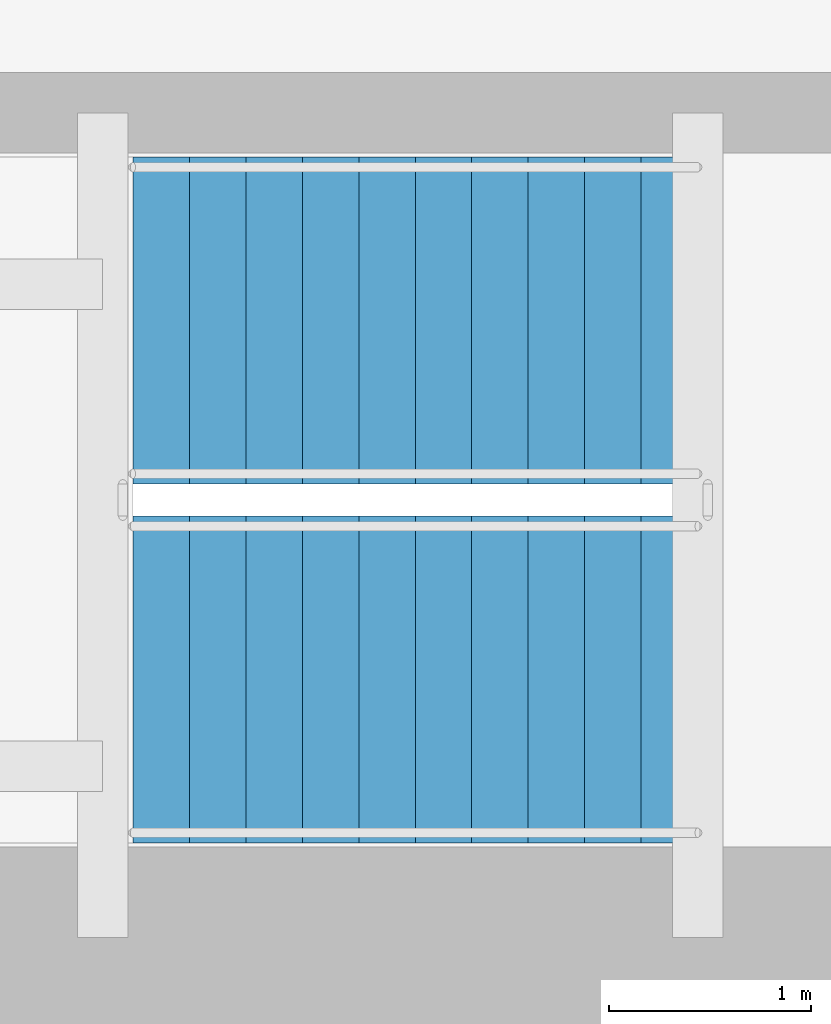
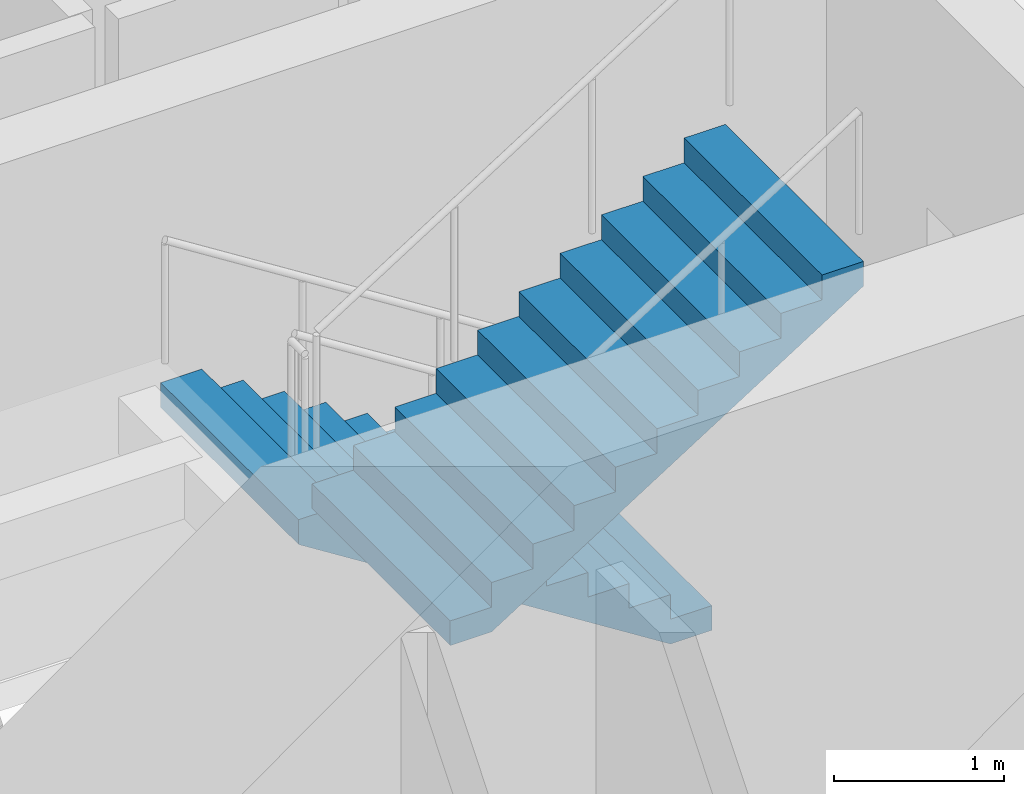
# One storey, part 9 of 14: 2 stair flights, 1 element without a shape of its own.
"""IFC4 building model written with IfcOpenShell, lengths in metres."""

from ifc_helpers import new_model, si_unit, direction, frame, origin, place, context, subcontext, project, spatial, polyline, outline, extrude, material, layer, layer_set, type_object, element, aggregate, save


model = new_model("IFC4")

# Units and contexts
model_context = context("Model", 3, precision=1e-05, world=origin(), true_north=direction((0.0, 1.0)))
body_context = subcontext(model_context, "Body", "Model", "MODEL_VIEW")
ifc_project = project(units=[si_unit("LENGTHUNIT", "METRE"), si_unit("AREAUNIT", "SQUARE_METRE"), si_unit("VOLUMEUNIT", "CUBIC_METRE"), si_unit("PLANEANGLEUNIT", "RADIAN"), si_unit("MASSUNIT", "GRAM", prefix="KILO")], contexts=[model_context])

# Site, building, storey
site_placement = place(None, origin())
site = spatial("IfcSite", under=ifc_project, at=site_placement, CompositionType="ELEMENT")
building_placement = place(site_placement, origin())
building = spatial("IfcBuilding", under=site, at=building_placement, Name="Qingluan Cross Belvedere", CompositionType="ELEMENT")
storey_placement = place(building_placement, frame((0.0, 0.0, 83.39990234375)))
storey = spatial("IfcBuildingStorey", under=building, at=storey_placement, Name="L21", CompositionType="ELEMENT", Elevation=83.39990234375)

# Stair, stair flights
ifc_material_1 = material(Name="Concrete C40", Category="concrete")
stair_type = type_object("IfcStairType", Name="CoreDoglegStair_1620", PredefinedType="HALF_TURN_STAIR", material=ifc_material_1)
stair_placement = place(storey_placement, origin())
stair = element("IfcStair", 1, at=stair_placement, inside=storey, type_object=stair_type, Name="L21 ST3", PredefinedType="HALF_TURN_STAIR")
ifc_material_2 = material(Name="Concrete C40", Category="concrete")
ifc_layer = layer(ifc_material_2, 0.179931640625, Name="StairFlight_RC180")
ifc_layer_set = layer_set([ifc_layer], Name="Concrete C40")
stair_flight_type = type_object("IfcStairFlightType", Name="StairFlight_RC180", PredefinedType="STRAIGHT", material=ifc_layer_set)
stair_flight_1_placement = place(storey_placement, frame((-6.179931640625, 8.010009765625, 0.0), z_axis=(0.0, 0.0, 1.0), x_axis=(-1.0, 0.0, 0.0)))
stair_flight_1 = element("IfcStairFlight", 2, at=stair_flight_1_placement, type_object=stair_flight_type, Name="ST3 flight 1", NumberOfRisers=11, NumberOfTreads=10, PredefinedType="STRAIGHT", RiserHeight=0.177272727, TreadLength=0.28, context=body_context, shape_type="SweptSolid", body=[
    extrude(outline(polyline([(0.0, 0.0), (0.0, 0.17724609375), (0.280029296875, 0.17724609375), (0.280029296875, 0.3544921875), (0.56005859375, 0.3544921875), (0.56005859375, 0.53173828125), (0.840087890625, 0.53173828125), (0.840087890625, 0.708984375), (1.1201171875, 0.708984375), (1.1201171875, 0.886474609375), (1.39990234375, 0.886474609375), (1.39990234375, 1.063720703125), (1.679931640625, 1.063720703125), (1.679931640625, 1.240966796875), (1.9599609375, 1.240966796875), (1.9599609375, 1.418212890625), (2.239990234375, 1.418212890625), (2.239990234375, 1.595458984375), (2.52001953125, 1.595458984375), (2.52001953125, 1.772705078125), (2.800048828125, 1.772705078125), (2.800048828125, 1.949951171875), (2.800048828125, 1.59521484375), (0.2802734375, 0.0), (0.0, 0.0)])), frame((0.0, 0.81005859375, 0.0), z_axis=(0.0, -1.0, 0.0), x_axis=(1.0, 0.0, 0.0)), (0.0, 0.0, 1.0), 1.6201171875),
])
stair_flight_2_placement = place(storey_placement, frame((-8.97998046875, 6.22998046875, 1.9501953125), z_axis=(0.0, 0.0, 1.0), x_axis=(1.0, 0.0, 0.0)))
stair_flight_2 = element("IfcStairFlight", 3, at=stair_flight_2_placement, type_object=stair_flight_type, Name="ST3 flight 2", NumberOfRisers=11, NumberOfTreads=10, PredefinedType="STRAIGHT", RiserHeight=0.177272727, TreadLength=0.28, context=body_context, shape_type="SweptSolid", body=[
    extrude(outline(polyline([(0.0, 0.0), (0.0, 0.17724609375), (0.280029296875, 0.17724609375), (0.280029296875, 0.3544921875), (0.56005859375, 0.3544921875), (0.56005859375, 0.53173828125), (0.840087890625, 0.53173828125), (0.840087890625, 0.708984375), (1.1201171875, 0.708984375), (1.1201171875, 0.886474609375), (1.39990234375, 0.886474609375), (1.39990234375, 1.063720703125), (1.679931640625, 1.063720703125), (1.679931640625, 1.240966796875), (1.9599609375, 1.240966796875), (1.9599609375, 1.418212890625), (2.239990234375, 1.418212890625), (2.239990234375, 1.595458984375), (2.52001953125, 1.595458984375), (2.52001953125, 1.772705078125), (2.800048828125, 1.772705078125), (2.800048828125, 1.949951171875), (2.800048828125, 1.59521484375), (0.2802734375, 0.0), (0.0, 0.0)])), frame((0.0, 0.81005859375, 0.0), z_axis=(0.0, -1.0, 0.0), x_axis=(1.0, 0.0, 0.0)), (0.0, 0.0, 1.0), 1.6201171875),
])
aggregate(stair, [stair_flight_1, stair_flight_2])

save(model, "model.ifc")
